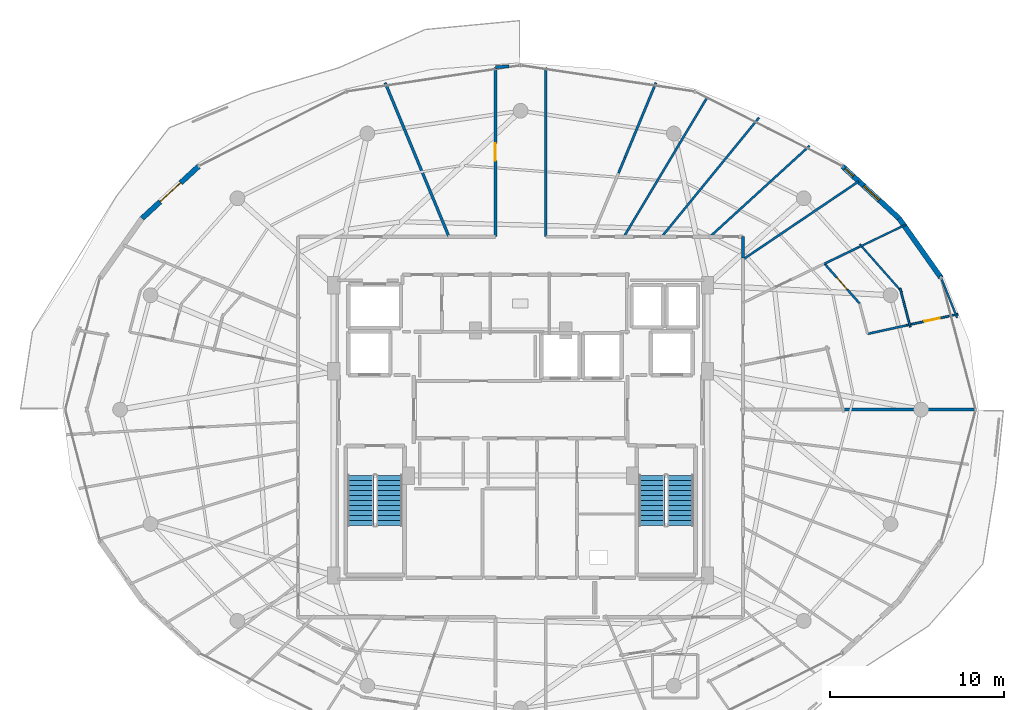
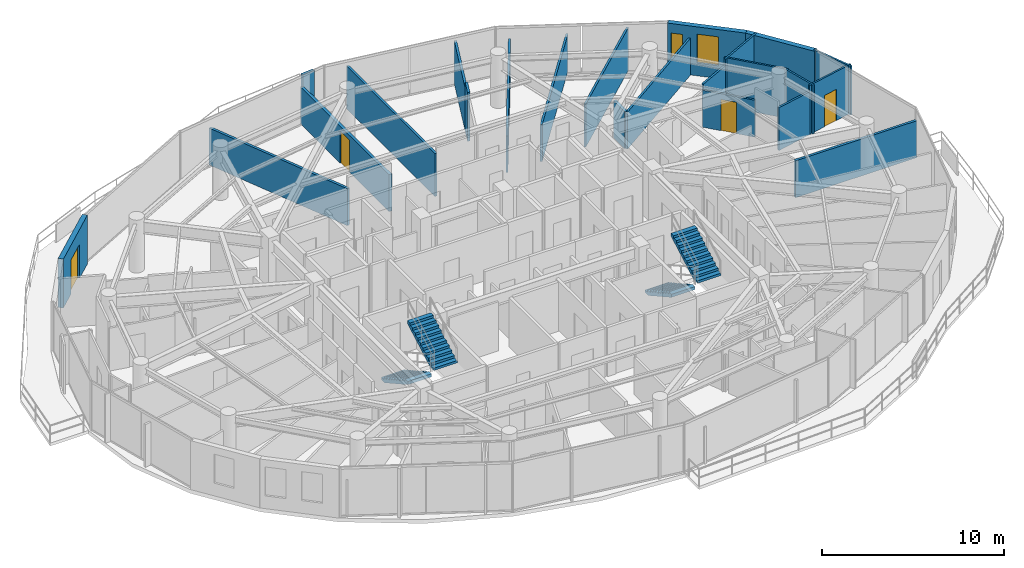
# One storey, part 25 of 29: 23 walls, 4 doors, 4 stair flights, 2 windows, 6 openings, 2 elements without a shape of their own.
"""IFC4 building model written with IfcOpenShell, lengths in metres."""

from ifc_helpers import new_model, si_unit, direction, frame, frame_2d, origin, place, context, subcontext, project, spatial, polyline, rectangle, outline, extrude, material, layer, layer_set, type_object, element, fill, aggregate, save


model = new_model("IFC4")

# Units and contexts
model_context = context("Model", 3, precision=1e-05, world=origin(), true_north=direction((0.0, 1.0)))
body_context = subcontext(model_context, "Body", "Model", "MODEL_VIEW")
ifc_project = project(units=[si_unit("LENGTHUNIT", "METRE"), si_unit("AREAUNIT", "SQUARE_METRE"), si_unit("VOLUMEUNIT", "CUBIC_METRE"), si_unit("PLANEANGLEUNIT", "RADIAN"), si_unit("MASSUNIT", "GRAM", prefix="KILO")], contexts=[model_context])

# Site, building, storey
site_placement = place(None, origin())
site = spatial("IfcSite", under=ifc_project, at=site_placement, CompositionType="ELEMENT")
building_placement = place(site_placement, origin())
building = spatial("IfcBuilding", under=site, at=building_placement, Name="Vorneva Point Tower", CompositionType="ELEMENT")
storey_placement = place(building_placement, frame((0.0, 0.0, 255.550048828125)))
storey = spatial("IfcBuildingStorey", under=building, at=storey_placement, Name="L69", CompositionType="ELEMENT", Elevation=255.550048828125)

# Wall
ifc_material_1 = material(Name="Precast concrete B50 (C40/50)", Category="concrete")
ifc_layer_1 = layer(ifc_material_1, 0.300048828125)
ifc_layer_set_1 = layer_set([ifc_layer_1], Name="Precast concrete B50 (C40/50)")
wall_type_1 = type_object("IfcWallType", Name="WL-EXT-300", PredefinedType="STANDARD", material=ifc_layer_set_1)
wall_1_placement = place(storey_placement, frame((62.20556640625, 33.5810546875, 0.0), z_axis=(0.0, 0.0, 1.0), x_axis=(-0.577261247247, 0.816559521668, 0.0)))
element("IfcWall", 1, at=wall_1_placement, inside=storey, type_object=wall_type_1, Name="L69 Pale-Metal Facade Spandrel Wall 02.1", PredefinedType="STANDARD", context=body_context, shape_type="SweptSolid", body=[
    extrude(rectangle(XDim=4.194091796875, YDim=0.300048828125, at=frame_2d((2.09716796875, 0.0))), origin(), (0.0, 0.0, 1.0), 3.2900390625),
])

# Wall, openings, windows
wall_2_placement = place(storey_placement, frame((59.784423828125, 37.005859375, 0.0), z_axis=(0.0, 0.0, 1.0), x_axis=(-0.735445373611, 0.677584018727, 0.0)))
wall_2 = element("IfcWall", 2, at=wall_2_placement, inside=storey, type_object=wall_type_1, Name="L69 Pale-Metal Facade Spandrel Wall 02.2", PredefinedType="STANDARD", context=body_context, shape_type="SweptSolid", body=[
    extrude(rectangle(XDim=4.430419921875, YDim=0.300048828125, at=frame_2d((2.21533203125, 0.0))), origin(), (0.0, 0.0, 1.0), 3.2900390625),
])
opening_1_placement = place(wall_2_placement, frame((1.55615234375, 0.0, 0.85009765625)))
opening_1 = element("IfcOpeningElement", 3, at=opening_1_placement, cuts=wall_2, Name="Opening W-04", PredefinedType="OPENING", context=body_context, shape_type="SweptSolid", body=[
    extrude(rectangle(XDim=1.199951171875, YDim=1.949951171875, at=frame_2d((0.60009765625, 0.97509765625))), frame((0.0, 0.1650390625, 0.0), z_axis=(0.0, -1.0, 0.0), x_axis=(1.0, 0.0, 0.0)), (0.0, 0.0, 1.0), 0.329833984375),
])
opening_2_placement = place(wall_2_placement, frame((3.5810546875, 0.0, 0.85009765625)))
opening_2 = element("IfcOpeningElement", 4, at=opening_2_placement, cuts=wall_2, Name="Opening W-09", PredefinedType="OPENING", context=body_context, shape_type="SweptSolid", body=[
    extrude(rectangle(XDim=0.64990234375, YDim=1.800048828125, at=frame_2d((0.324951171875, 0.89990234375))), frame((0.0, 0.1650390625, 0.0), z_axis=(0.0, -1.0, 0.0), x_axis=(1.0, 0.0, 0.0)), (0.0, 0.0, 1.0), 0.329833984375),
])
ifc_material_2 = material(Name="Double low-e laminated glass IGU", Category="glass")
window_type_1 = type_object("IfcWindowType", Name="WN-CAS-650", PartitioningType="SINGLE_PANEL", PredefinedType="WINDOW", material=ifc_material_2)
window_1_placement = place(opening_2_placement, origin())
window_1 = element("IfcWindow", 5, at=window_1_placement, inside=storey, type_object=window_type_1, Name="L69 Dwelling Vision Window 07", OverallHeight=1.800048828125, OverallWidth=0.64990234375, PartitioningType="SINGLE_PANEL", PredefinedType="WINDOW", context=body_context, shape_type="SweptSolid", body=[
    extrude(rectangle(XDim=0.64990234375, YDim=1.800048828125, at=frame_2d((0.324951171875, 0.89990234375))), frame((0.0, 0.030029296875, 0.0), z_axis=(0.0, -1.0, 0.0), x_axis=(1.0, 0.0, 0.0)), (0.0, 0.0, 1.0), 0.06005859375),
])
fill(opening_2, window_1)
window_type_2 = type_object("IfcWindowType", Name="WN-RES-1200", PartitioningType="SINGLE_PANEL", PredefinedType="WINDOW", material=ifc_material_2)
window_2_placement = place(opening_1_placement, origin())
window_2 = element("IfcWindow", 6, at=window_2_placement, inside=storey, type_object=window_type_2, Name="L69 Dwelling Vision Window 06", OverallHeight=1.949951171875, OverallWidth=1.199951171875, PartitioningType="SINGLE_PANEL", PredefinedType="WINDOW", context=body_context, shape_type="SweptSolid", body=[
    extrude(rectangle(XDim=1.199951171875, YDim=1.949951171875, at=frame_2d((0.60009765625, 0.97509765625))), frame((0.0, 0.030029296875, 0.0), z_axis=(0.0, -1.0, 0.0), x_axis=(1.0, 0.0, 0.0)), (0.0, 0.0, 1.0), 0.06005859375),
])
fill(opening_1, window_2)

# Wall, opening, door
wall_3_placement = place(storey_placement, frame((19.473876953125, 40.0078125, 0.0), z_axis=(0.0, 0.0, 1.0), x_axis=(-0.735445373611, -0.677584018727, 0.0)))
wall_3 = element("IfcWall", 7, at=wall_3_placement, inside=storey, type_object=wall_type_1, Name="L69 Pale-Metal Facade Spandrel Wall 07.1", PredefinedType="STANDARD", context=body_context, shape_type="SweptSolid", body=[
    extrude(rectangle(XDim=4.430419921875, YDim=0.300048828125, at=frame_2d((2.21533203125, 0.0))), origin(), (0.0, 0.0, 1.0), 3.2900390625),
])
opening_3_placement = place(wall_3_placement, frame((1.415283203125, 0.0, 0.0)))
opening_3 = element("IfcOpeningElement", 8, at=opening_3_placement, cuts=wall_3, Name="Opening BD-01", PredefinedType="OPENING", context=body_context, shape_type="SweptSolid", body=[
    extrude(rectangle(XDim=1.60009765625, YDim=2.300048828125, at=frame_2d((0.800048828125, 1.14990234375))), frame((0.0, 0.1650390625, 0.0), z_axis=(0.0, -1.0, 0.0), x_axis=(1.0, 0.0, 0.0)), (0.0, 0.0, 1.0), 0.329833984375),
])
ifc_material_3 = material(Name="Pale anodised aluminium", Category="aluminium")
door_type_1 = type_object("IfcDoorType", Name="DR-BAL-1600", OperationType="SLIDING_TO_LEFT", PredefinedType="DOOR", material=ifc_material_3)
door_1_placement = place(opening_3_placement, origin())
door_1 = element("IfcDoor", 9, at=door_1_placement, inside=storey, type_object=door_type_1, Name="L69 Balcony Terrace Access Door 07", OperationType="SLIDING_TO_LEFT", OverallHeight=2.300048828125, OverallWidth=1.60009765625, PredefinedType="DOOR", context=body_context, shape_type="SweptSolid", body=[
    extrude(rectangle(XDim=1.60009765625, YDim=2.300048828125, at=frame_2d((0.800048828125, 1.14990234375))), frame((0.0, 0.02490234375, 0.0), z_axis=(0.0, -1.0, 0.0), x_axis=(1.0, 0.0, 0.0)), (0.0, 0.0, 1.0), 0.050048828125),
])
fill(opening_3, door_1)

# Walls
ifc_material_4 = material(Name="Fire-rated acoustic gypsum stud partition", Category="gypsum")
ifc_layer_2 = layer(ifc_material_4, 0.110107421875)
ifc_layer_set_2 = layer_set([ifc_layer_2], Name="Fire-rated acoustic gypsum stud partition")
wall_type_2 = type_object("IfcWallType", Name="WL-PART-110", PredefinedType="PARTITIONING", material=ifc_layer_set_2)
wall_4_placement = place(storey_placement, frame((57.431884765625, 35.330322265625, 0.0), z_axis=(0.0, 0.0, 1.0), x_axis=(0.90133305384, 0.43312668592, 0.0)))
element("IfcWall", 10, at=wall_4_placement, inside=storey, type_object=wall_type_2, Name="L69 Interior Partition 128", PredefinedType="PARTITIONING", context=body_context, shape_type="SweptSolid", body=[
    extrude(rectangle(XDim=3.069091796875, YDim=0.110107421875, at=frame_2d((1.53466796875, 0.0))), origin(), (0.0, 0.0, 1.0), 3.2900390625),
])
wall_5_placement = place(storey_placement, frame((63.126220703125, 31.281982421875, 0.0), z_axis=(0.0, 0.0, 1.0), x_axis=(-0.371940924939, 0.92825640227, 0.0)))
element("IfcWall", 11, at=wall_5_placement, inside=storey, type_object=wall_type_2, Name="L69 Interior Partition 129", PredefinedType="PARTITIONING", context=body_context, shape_type="SweptSolid", body=[
    extrude(rectangle(XDim=2.6005859375, YDim=0.110107421875, at=frame_2d((1.30029296875, 0.0))), origin(), (0.0, 0.0, 1.0), 3.2900390625),
])

# Wall, opening, door
wall_6_placement = place(storey_placement, frame((63.187744140625, 31.497802734375, 0.0), z_axis=(0.0, 0.0, 1.0), x_axis=(-0.976993096252, -0.213270930688, 0.0)))
wall_6 = element("IfcWall", 12, at=wall_6_placement, inside=storey, type_object=wall_type_2, Name="L69 Interior Partition 130", PredefinedType="PARTITIONING", context=body_context, shape_type="SweptSolid", body=[
    extrude(rectangle(XDim=3.059814453125, YDim=0.110107421875, at=frame_2d((1.52978515625, 0.0))), origin(), (0.0, 0.0, 1.0), 3.2900390625),
])
opening_4_placement = place(wall_6_placement, frame((1.080078125, 0.0, 0.0)))
opening_4 = element("IfcOpeningElement", 13, at=opening_4_placement, cuts=wall_6, Name="Opening ID-01", PredefinedType="OPENING", context=body_context, shape_type="SweptSolid", body=[
    extrude(rectangle(XDim=0.89990234375, YDim=2.10009765625, at=frame_2d((0.449951171875, 1.050048828125))), frame((0.0, 0.06982421875, 0.0), z_axis=(0.0, -1.0, 0.0), x_axis=(1.0, 0.0, 0.0)), (0.0, 0.0, 1.0), 0.139892578125),
])
ifc_material_5 = material(Name="Engineered oak fire-rated door leaf", Category="wood")
door_type_2 = type_object("IfcDoorType", Name="DR-ROOM-900", OperationType="NOTDEFINED", PredefinedType="DOOR", material=ifc_material_5)
door_2_placement = place(opening_4_placement, origin())
door_2 = element("IfcDoor", 14, at=door_2_placement, inside=storey, type_object=door_type_2, Name="L69 Door Living and Dining Room L69-04 / Kitchen L69-04", OperationType="SINGLE_SWING_LEFT", OverallHeight=2.10009765625, OverallWidth=0.89990234375, PredefinedType="DOOR", context=body_context, shape_type="SweptSolid", body=[
    extrude(rectangle(XDim=0.89990234375, YDim=2.10009765625, at=frame_2d((0.449951171875, 1.050048828125))), frame((0.0, 0.02490234375, 0.0), z_axis=(0.0, -1.0, 0.0), x_axis=(1.0, 0.0, 0.0)), (0.0, 0.0, 1.0), 0.050048828125),
])
fill(opening_4, door_2)

# Walls
wall_7_placement = place(storey_placement, frame((57.519287109375, 35.52197265625, 0.0), z_axis=(0.0, 0.0, 1.0), x_axis=(0.662055665853, -0.749454665281, 0.0)))
element("IfcWall", 15, at=wall_7_placement, inside=storey, type_object=wall_type_2, Name="L69 Interior Partition 136", PredefinedType="PARTITIONING", context=body_context, shape_type="SweptSolid", body=[
    extrude(rectangle(XDim=3.701171875, YDim=0.110107421875, at=frame_2d((1.8505859375, 0.0))), origin(), (0.0, 0.0, 1.0), 3.2900390625),
])
wall_8_placement = place(storey_placement, frame((59.84130859375, 32.98828125, 0.0), z_axis=(0.0, 0.0, 1.0), x_axis=(0.254519291204, -0.967067696909, 0.0)))
element("IfcWall", 16, at=wall_8_placement, inside=storey, type_object=wall_type_2, Name="L69 Interior Partition 137", PredefinedType="PARTITIONING", context=body_context, shape_type="SweptSolid", body=[
    extrude(rectangle(XDim=2.311767578125, YDim=0.110107421875, at=frame_2d((1.15576171875, 0.0))), origin(), (0.0, 0.0, 1.0), 3.2900390625),
])

# Wall, opening, door
ifc_layer_3 = layer(ifc_material_4, 0.125)
ifc_layer_set_3 = layer_set([ifc_layer_3], Name="Fire-rated acoustic gypsum stud partition")
wall_type_3 = type_object("IfcWallType", Name="WL-PART-125", PredefinedType="PARTITIONING", material=ifc_layer_set_3)
wall_9_placement = place(storey_placement, frame((57.511962890625, 32.112060546875, 0.0), z_axis=(0.0, 0.0, 1.0), x_axis=(-0.662026430628, 0.749480490173, 0.0)))
wall_9 = element("IfcWall", 17, at=wall_9_placement, inside=storey, type_object=wall_type_3, Name="L69 Interior Partition 132", PredefinedType="PARTITIONING", context=body_context, shape_type="SweptSolid", body=[
    extrude(rectangle(XDim=3.05126953125, YDim=0.125, at=frame_2d((1.525634765625, 0.0))), origin(), (0.0, 0.0, 1.0), 2.48193359375),
])
opening_5_placement = place(wall_9_placement, frame((1.07568359375, 0.0, 0.0)))
opening_5 = element("IfcOpeningElement", 18, at=opening_5_placement, cuts=wall_9, Name="Opening ID-01", PredefinedType="OPENING", context=body_context, shape_type="SweptSolid", body=[
    extrude(rectangle(XDim=0.89990234375, YDim=2.10009765625, at=frame_2d((0.449951171875, 1.050048828125))), frame((0.0, 0.077392578125, 0.0), z_axis=(0.0, -1.0, 0.0), x_axis=(1.0, 0.0, 0.0)), (0.0, 0.0, 1.0), 0.15478515625),
])
door_3_placement = place(opening_5_placement, origin())
door_3 = element("IfcDoor", 19, at=door_3_placement, inside=storey, type_object=door_type_2, Name="L69 Door Living and Dining Room L69-04 / Study Room L69-04", OperationType="SINGLE_SWING_RIGHT", OverallHeight=2.10009765625, OverallWidth=0.89990234375, PredefinedType="DOOR", context=body_context, shape_type="SweptSolid", body=[
    extrude(rectangle(XDim=0.89990234375, YDim=2.10009765625, at=frame_2d((0.449951171875, 1.050048828125))), frame((0.0, 0.02490234375, 0.0), z_axis=(0.0, -1.0, 0.0), x_axis=(1.0, 0.0, 0.0)), (0.0, 0.0, 1.0), 0.050048828125),
])
fill(opening_5, door_3)

# Walls
wall_10_placement = place(storey_placement, frame((55.491943359375, 34.39892578125, 0.0), z_axis=(0.0, 0.0, 1.0), x_axis=(0.901372521065, 0.433044545363, 0.0)))
element("IfcWall", 20, at=wall_10_placement, inside=storey, type_object=wall_type_3, Name="L69 Interior Partition 133", PredefinedType="PARTITIONING", context=body_context, shape_type="SweptSolid", body=[
    extrude(rectangle(XDim=2.15185546875, YDim=0.125, at=frame_2d((1.075927734375, 0.0))), origin(), (0.0, 0.0, 1.0), 2.8740234375),
])
wall_11_placement = place(storey_placement, frame((60.1982421875, 30.844970703125, 0.0), z_axis=(0.0, 0.0, 1.0), x_axis=(-0.976965000645, -0.213399595862, 0.0)))
element("IfcWall", 21, at=wall_11_placement, inside=storey, type_object=wall_type_3, Name="L69 Interior Partition 134", PredefinedType="PARTITIONING", context=body_context, shape_type="SweptSolid", body=[
    extrude(rectangle(XDim=2.27783203125, YDim=0.125, at=frame_2d((1.138916015625, 0.0))), origin(), (0.0, 0.0, 1.0), 2.8740234375),
])
wall_12_placement = place(storey_placement, frame((57.466064453125, 39.139892578125, 0.0), z_axis=(0.0, 0.0, 1.0), x_axis=(-0.828823335801, -0.559510391352, 0.0)))
element("IfcWall", 22, at=wall_12_placement, inside=storey, type_object=wall_type_3, Name="L69 Interior Partition 138", PredefinedType="PARTITIONING", context=body_context, shape_type="SweptSolid", body=[
    extrude(rectangle(XDim=8.042724609375, YDim=0.125, at=frame_2d((4.021484375, 0.0))), origin(), (0.0, 0.0, 1.0), 2.48193359375),
])
wall_13_placement = place(storey_placement, frame((54.631103515625, 41.180908203125, 0.0), z_axis=(0.0, 0.0, 1.0), x_axis=(-0.73860604902, -0.674137303783, 0.0)))
element("IfcWall", 23, at=wall_13_placement, inside=storey, type_object=wall_type_3, Name="L69 Interior Partition 139", PredefinedType="PARTITIONING", context=body_context, shape_type="SweptSolid", body=[
    extrude(rectangle(XDim=7.759521484375, YDim=0.125, at=frame_2d((3.8798828125, 0.0))), origin(), (0.0, 0.0, 1.0), 2.8740234375),
])
wall_14_placement = place(storey_placement, frame((51.72509765625, 42.803955078125, 0.0), z_axis=(0.0, 0.0, 1.0), x_axis=(-0.632582563989, -0.774492930721, 0.0)))
element("IfcWall", 24, at=wall_14_placement, inside=storey, type_object=wall_type_3, Name="L69 Interior Partition 140", PredefinedType="PARTITIONING", context=body_context, shape_type="SweptSolid", body=[
    extrude(rectangle(XDim=8.849609375, YDim=0.125, at=frame_2d((4.4248046875, 0.0))), origin(), (0.0, 0.0, 1.0), 2.48193359375),
])
wall_15_placement = place(storey_placement, frame((48.761962890625, 44.00390625, 0.0), z_axis=(0.0, 0.0, 1.0), x_axis=(-0.51305247577, -0.858357243289, 0.0)))
element("IfcWall", 25, at=wall_15_placement, inside=storey, type_object=wall_type_3, Name="L69 Interior Partition 141", PredefinedType="PARTITIONING", context=body_context, shape_type="SweptSolid", body=[
    extrude(rectangle(XDim=9.383056640625, YDim=0.125, at=frame_2d((4.69140625, 0.0))), origin(), (0.0, 0.0, 1.0), 2.48193359375),
])
ifc_layer_4 = layer(ifc_material_4, 0.139892578125)
ifc_layer_set_4 = layer_set([ifc_layer_4], Name="Fire-rated acoustic gypsum stud partition")
wall_type_4 = type_object("IfcWallType", Name="WL-PART-140", PredefinedType="PARTITIONING", material=ifc_layer_set_4)
wall_16_placement = place(storey_placement, frame((39.449951171875, 35.949951171875, 0.0), z_axis=(0.0, 0.0, 1.0), x_axis=(0.0, 1.0, 0.0)))
element("IfcWall", 26, at=wall_16_placement, inside=storey, type_object=wall_type_4, Name="L69 Interior Closure Partition 157", PredefinedType="PARTITIONING", context=body_context, shape_type="SweptSolid", body=[
    extrude(rectangle(XDim=9.7509765625, YDim=0.139892578125, at=frame_2d((4.87548828125, 0.0))), origin(), (0.0, 0.0, 1.0), 2.8740234375),
])
wall_17_placement = place(storey_placement, frame((45.79296875, 44.81298828125, 0.0), z_axis=(0.0, 0.0, 1.0), x_axis=(-0.382733290986, -0.923858878818, 0.0)))
element("IfcWall", 27, at=wall_17_placement, inside=storey, type_object=wall_type_4, Name="L69 Interior Closure Partition 170", PredefinedType="PARTITIONING", context=body_context, shape_type="SweptSolid", body=[
    extrude(rectangle(XDim=4.6533203125, YDim=0.139892578125, at=frame_2d((2.32666015625, 0.0))), origin(), (0.0, 0.0, 1.0), 2.8740234375),
])
wall_18_placement = place(storey_placement, frame((44.011962890625, 40.513916015625, 0.0), z_axis=(0.0, 0.0, 1.0), x_axis=(-0.382941999237, -0.923772388211, 0.0)))
element("IfcWall", 28, at=wall_18_placement, inside=storey, type_object=wall_type_4, Name="L69 Interior Closure Partition 171", PredefinedType="PARTITIONING", context=body_context, shape_type="SweptSolid", body=[
    extrude(rectangle(XDim=0.97412109375, YDim=0.139892578125, at=frame_2d((0.487060546875, 0.0))), origin(), (0.0, 0.0, 1.0), 3.2900390625),
])
ifc_layer_5 = layer(ifc_material_4, 0.159912109375)
ifc_layer_set_5 = layer_set([ifc_layer_5], Name="Fire-rated acoustic gypsum stud partition")
wall_type_5 = type_object("IfcWallType", Name="WL-PART-160", PredefinedType="PARTITIONING", material=ifc_layer_set_5)
wall_19_placement = place(storey_placement, frame((64.198974609375, 26.0, 0.0), z_axis=(0.0, 0.0, 1.0), x_axis=(-1.0, 0.0, 0.0)))
element("IfcWall", 29, at=wall_19_placement, inside=storey, type_object=wall_type_5, Name="L69 Interior Partition 124", PredefinedType="PARTITIONING", context=body_context, shape_type="SweptSolid", body=[
    extrude(rectangle(XDim=7.700927734375, YDim=0.159912109375, at=frame_2d((3.8505859375, 0.0))), origin(), (0.0, 0.0, 1.0), 2.48193359375),
])
wall_20_placement = place(storey_placement, frame((30.20703125, 44.81298828125, 0.0), z_axis=(0.0, 0.0, 1.0), x_axis=(0.38274436158, -0.92385429245, 0.0)))
element("IfcWall", 30, at=wall_20_placement, inside=storey, type_object=wall_type_5, Name="L69 Interior Partition 142", PredefinedType="PARTITIONING", context=body_context, shape_type="SweptSolid", body=[
    extrude(rectangle(XDim=9.593505859375, YDim=0.159912109375, at=frame_2d((4.796875, 0.0))), origin(), (0.0, 0.0, 1.0), 2.48193359375),
])
ifc_material_6 = material(Name="Autoclaved aerated concrete blockwork", Category="masonry")
ifc_layer_6 = layer(ifc_material_6, 0.179931640625)
ifc_layer_set_6 = layer_set([ifc_layer_6], Name="Autoclaved aerated concrete blockwork")
wall_type_6 = type_object("IfcWallType", Name="WL-PART-180", PredefinedType="PARTITIONING", material=ifc_layer_set_6)
wall_21_placement = place(storey_placement, frame((50.800048828125, 34.7119140625, 0.0), z_axis=(0.0, 0.0, 1.0), x_axis=(0.0, 1.0, 0.0)))
element("IfcWall", 31, at=wall_21_placement, inside=storey, type_object=wall_type_6, Name="L69 Interior Partition 060", PredefinedType="PARTITIONING", context=body_context, shape_type="SweptSolid", body=[
    extrude(rectangle(XDim=1.238037109375, YDim=0.179931640625, at=frame_2d((0.619140625, 0.0))), origin(), (0.0, 0.0, 1.0), 2.48193359375),
])
wall_22_placement = place(storey_placement, frame((37.3291015625, 45.760009765625, 0.0), z_axis=(0.0, 0.0, 1.0), x_axis=(-0.997136622012, -0.0756211415, 0.0)))
element("IfcWall", 32, at=wall_22_placement, inside=storey, type_object=wall_type_6, Name="L69 Interior Partition 065", PredefinedType="PARTITIONING", context=body_context, shape_type="SweptSolid", body=[
    extrude(rectangle(XDim=0.78125, YDim=0.179931640625, at=frame_2d((0.390625, 0.0))), origin(), (0.0, 0.0, 1.0), 3.2900390625),
])

# Wall, opening, door
wall_23_placement = place(storey_placement, frame((36.550048828125, 45.700927734375, 0.0), z_axis=(0.0, 0.0, 1.0), x_axis=(0.0, -1.0, 0.0)))
wall_23 = element("IfcWall", 33, at=wall_23_placement, inside=storey, type_object=wall_type_6, Name="L69 Interior Partition 066", PredefinedType="PARTITIONING", context=body_context, shape_type="SweptSolid", body=[
    extrude(rectangle(XDim=9.7509765625, YDim=0.179931640625, at=frame_2d((4.87548828125, 0.0))), origin(), (0.0, 0.0, 1.0), 2.48193359375),
])
opening_6_placement = place(wall_23_placement, frame((4.37548828125, 0.0, 0.0)))
opening_6 = element("IfcOpeningElement", 34, at=opening_6_placement, cuts=wall_23, Name="Opening UD-01", PredefinedType="OPENING", context=body_context, shape_type="SweptSolid", body=[
    extrude(rectangle(XDim=1.0, YDim=2.14990234375, at=frame_2d((0.5, 1.074951171875))), frame((0.0, 0.10498046875, 0.0), z_axis=(0.0, -1.0, 0.0), x_axis=(1.0, 0.0, 0.0)), (0.0, 0.0, 1.0), 0.209716796875),
])
door_type_3 = type_object("IfcDoorType", Name="DR-UNIT-1000", OperationType="NOTDEFINED", PredefinedType="DOOR", material=ifc_material_5)
door_4_placement = place(opening_6_placement, origin())
door_4 = element("IfcDoor", 35, at=door_4_placement, inside=storey, type_object=door_type_3, Name="L69 Door L69 Circulation Corridor / Residents Co-Working Office L69-05", OperationType="SINGLE_SWING_LEFT", OverallHeight=2.14990234375, OverallWidth=1.0, PredefinedType="DOOR", context=body_context, shape_type="SweptSolid", body=[
    extrude(rectangle(XDim=1.0, YDim=2.14990234375, at=frame_2d((0.5, 1.074951171875))), frame((0.0, 0.02490234375, 0.0), z_axis=(0.0, -1.0, 0.0), x_axis=(1.0, 0.0, 0.0)), (0.0, 0.0, 1.0), 0.050048828125),
])
fill(opening_6, door_4)

# Stair, stair flights
ifc_material_7 = material(Name="Concrete B50 (C40/50)", Category="concrete")
stair_type = type_object("IfcStairType", Name="ST-DOG-1500", PredefinedType="HALF_TURN_STAIR", material=ifc_material_7)
stair_1_placement = place(storey_placement, origin())
stair_1 = element("IfcStair", 36, at=stair_1_placement, inside=storey, type_object=stair_type, Name="L69 ST1", PredefinedType="HALF_TURN_STAIR")
stair_flight_type = type_object("IfcStairFlightType", Name="STF-1500", PredefinedType="STRAIGHT", material=ifc_material_7)
stair_flight_1_placement = place(storey_placement, frame((28.800048828125, 22.219970703125, 0.0), z_axis=(0.0, 0.0, 1.0), x_axis=(0.0, -1.0, 0.0)))
stair_flight_1 = element("IfcStairFlight", 37, at=stair_flight_1_placement, type_object=stair_flight_type, Name="ST1 flight 1", NumberOfRisers=11, NumberOfTreads=10, PredefinedType="STRAIGHT", RiserHeight=0.161363636, TreadLength=0.29, context=body_context, shape_type="SweptSolid", body=[
    extrude(outline(polyline([(0.0, 0.0), (0.0, 0.161376953125), (0.2900390625, 0.161376953125), (0.2900390625, 0.32275390625), (0.580078125, 0.32275390625), (0.580078125, 0.484130859375), (0.8701171875, 0.484130859375), (0.8701171875, 0.6455078125), (1.159912109375, 0.6455078125), (1.159912109375, 0.806884765625), (1.449951171875, 0.806884765625), (1.449951171875, 0.96826171875), (1.739990234375, 0.96826171875), (1.739990234375, 1.129638671875), (2.030029296875, 1.129638671875), (2.030029296875, 1.291015625), (2.320068359375, 1.291015625), (2.320068359375, 1.452392578125), (2.610107421875, 1.452392578125), (2.610107421875, 1.613525390625), (2.89990234375, 1.613525390625), (2.89990234375, 1.77490234375), (2.89990234375, 1.40771484375), (0.3701171875, 0.0), (0.0, 0.0)])), frame((0.0, 0.75, 0.0), z_axis=(0.0, -1.0, 0.0), x_axis=(1.0, 0.0, 0.0)), (0.0, 0.0, 1.0), 1.5),
])
stair_flight_2_placement = place(storey_placement, frame((30.449951171875, 19.320068359375, 1.77490234375), z_axis=(0.0, 0.0, 1.0), x_axis=(0.0, 1.0, 0.0)))
stair_flight_2 = element("IfcStairFlight", 38, at=stair_flight_2_placement, type_object=stair_flight_type, Name="ST1 flight 2", NumberOfRisers=11, NumberOfTreads=10, PredefinedType="STRAIGHT", RiserHeight=0.161363636, TreadLength=0.29, context=body_context, shape_type="SweptSolid", body=[
    extrude(outline(polyline([(0.0, 0.0), (0.0, 0.161376953125), (0.2900390625, 0.161376953125), (0.2900390625, 0.32275390625), (0.580078125, 0.32275390625), (0.580078125, 0.484130859375), (0.8701171875, 0.484130859375), (0.8701171875, 0.6455078125), (1.159912109375, 0.6455078125), (1.159912109375, 0.806884765625), (1.449951171875, 0.806884765625), (1.449951171875, 0.96826171875), (1.739990234375, 0.96826171875), (1.739990234375, 1.129638671875), (2.030029296875, 1.129638671875), (2.030029296875, 1.291015625), (2.320068359375, 1.291015625), (2.320068359375, 1.452392578125), (2.610107421875, 1.452392578125), (2.610107421875, 1.613525390625), (2.89990234375, 1.613525390625), (2.89990234375, 1.77490234375), (2.89990234375, 1.40771484375), (0.3701171875, 0.0), (0.0, 0.0)])), frame((0.0, 0.75, 0.0), z_axis=(0.0, -1.0, 0.0), x_axis=(1.0, 0.0, 0.0)), (0.0, 0.0, 1.0), 1.5),
])
aggregate(stair_1, [stair_flight_1, stair_flight_2])

stair_2_placement = place(storey_placement, origin())
stair_2 = element("IfcStair", 39, at=stair_2_placement, inside=storey, type_object=stair_type, Name="L69 ST2", PredefinedType="HALF_TURN_STAIR")
stair_flight_3_placement = place(storey_placement, frame((45.550048828125, 22.219970703125, 0.0), z_axis=(0.0, 0.0, 1.0), x_axis=(0.0, -1.0, 0.0)))
stair_flight_3 = element("IfcStairFlight", 40, at=stair_flight_3_placement, type_object=stair_flight_type, Name="ST2 flight 1", NumberOfRisers=11, NumberOfTreads=10, PredefinedType="STRAIGHT", RiserHeight=0.161363636, TreadLength=0.29, context=body_context, shape_type="SweptSolid", body=[
    extrude(outline(polyline([(0.0, 0.0), (0.0, 0.161376953125), (0.2900390625, 0.161376953125), (0.2900390625, 0.32275390625), (0.580078125, 0.32275390625), (0.580078125, 0.484130859375), (0.8701171875, 0.484130859375), (0.8701171875, 0.6455078125), (1.159912109375, 0.6455078125), (1.159912109375, 0.806884765625), (1.449951171875, 0.806884765625), (1.449951171875, 0.96826171875), (1.739990234375, 0.96826171875), (1.739990234375, 1.129638671875), (2.030029296875, 1.129638671875), (2.030029296875, 1.291015625), (2.320068359375, 1.291015625), (2.320068359375, 1.452392578125), (2.610107421875, 1.452392578125), (2.610107421875, 1.613525390625), (2.89990234375, 1.613525390625), (2.89990234375, 1.77490234375), (2.89990234375, 1.40771484375), (0.3701171875, 0.0), (0.0, 0.0)])), frame((0.0, 0.75, 0.0), z_axis=(0.0, -1.0, 0.0), x_axis=(1.0, 0.0, 0.0)), (0.0, 0.0, 1.0), 1.5),
])
stair_flight_4_placement = place(storey_placement, frame((47.199951171875, 19.320068359375, 1.77490234375), z_axis=(0.0, 0.0, 1.0), x_axis=(0.0, 1.0, 0.0)))
stair_flight_4 = element("IfcStairFlight", 41, at=stair_flight_4_placement, type_object=stair_flight_type, Name="ST2 flight 2", NumberOfRisers=11, NumberOfTreads=10, PredefinedType="STRAIGHT", RiserHeight=0.161363636, TreadLength=0.29, context=body_context, shape_type="SweptSolid", body=[
    extrude(outline(polyline([(0.0, 0.0), (0.0, 0.161376953125), (0.2900390625, 0.161376953125), (0.2900390625, 0.32275390625), (0.580078125, 0.32275390625), (0.580078125, 0.484130859375), (0.8701171875, 0.484130859375), (0.8701171875, 0.6455078125), (1.159912109375, 0.6455078125), (1.159912109375, 0.806884765625), (1.449951171875, 0.806884765625), (1.449951171875, 0.96826171875), (1.739990234375, 0.96826171875), (1.739990234375, 1.129638671875), (2.030029296875, 1.129638671875), (2.030029296875, 1.291015625), (2.320068359375, 1.291015625), (2.320068359375, 1.452392578125), (2.610107421875, 1.452392578125), (2.610107421875, 1.613525390625), (2.89990234375, 1.613525390625), (2.89990234375, 1.77490234375), (2.89990234375, 1.40771484375), (0.3701171875, 0.0), (0.0, 0.0)])), frame((0.0, 0.75, 0.0), z_axis=(0.0, -1.0, 0.0), x_axis=(1.0, 0.0, 0.0)), (0.0, 0.0, 1.0), 1.5),
])
aggregate(stair_2, [stair_flight_3, stair_flight_4])

save(model, "model.ifc")
